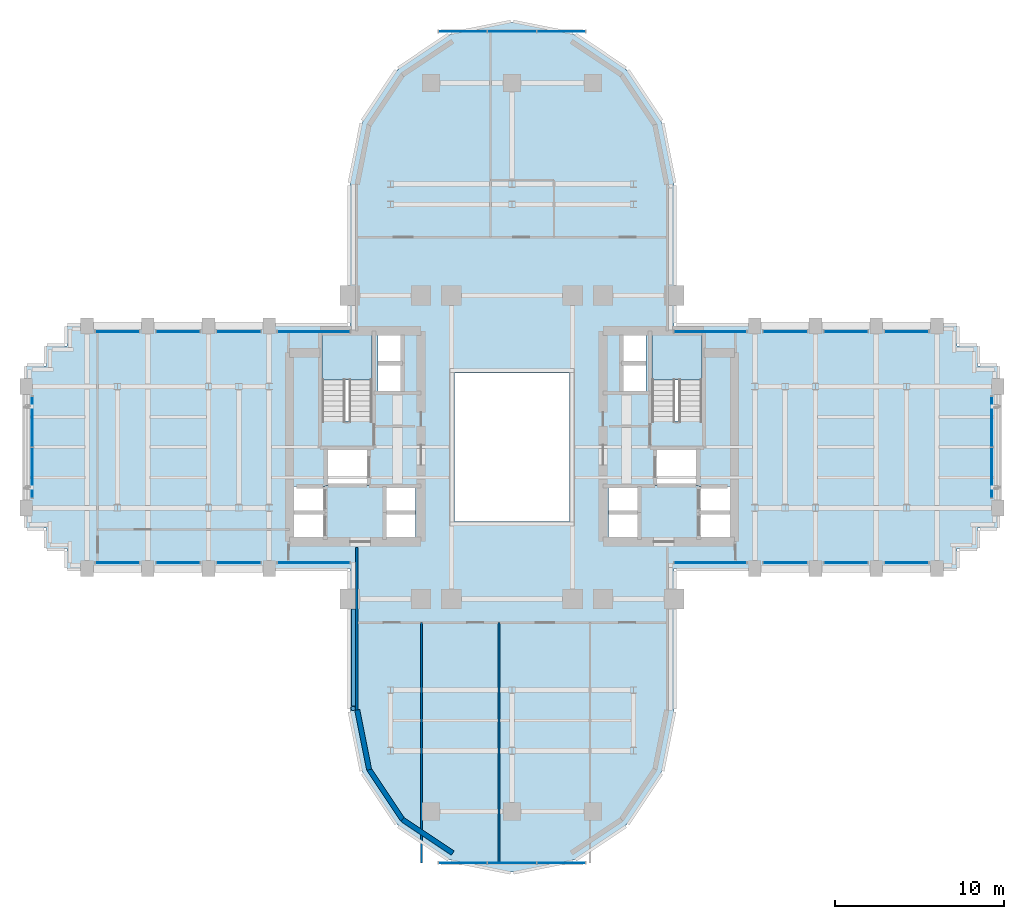
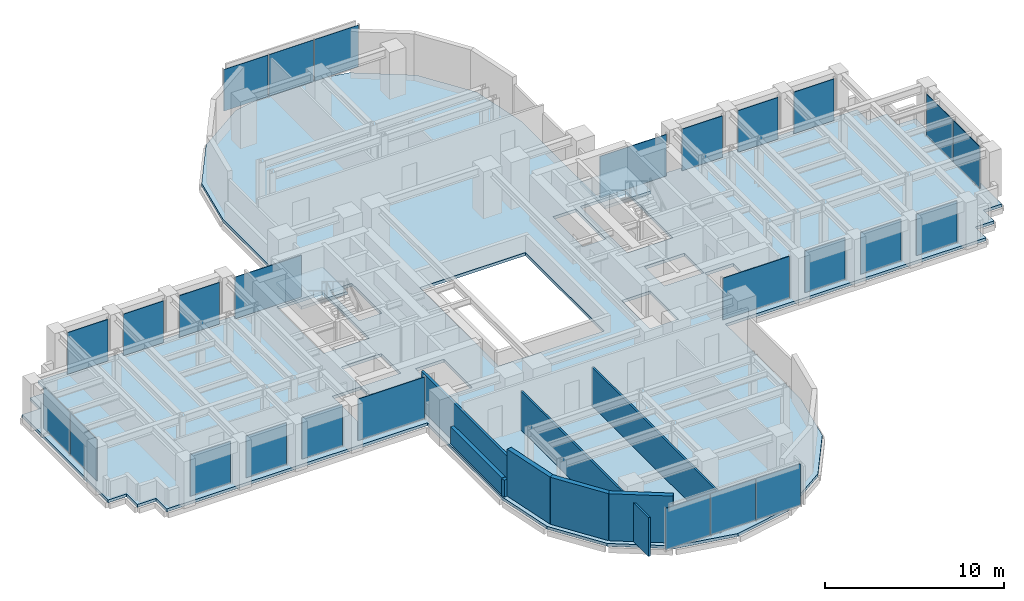
# One storey, part 9 of 16: 26 plates, 8 walls, 3 slabs, 22 elements without a shape of their own.
"""IFC4 building model written with IfcOpenShell, lengths in metres."""

from ifc_helpers import new_model, si_unit, direction, frame, frame_2d, origin, origin_2d, place, context, subcontext, project, spatial, polyline, rectangle, outline, extrude, source, transform, mapped, material, layer, layer_set, type_object, element, aggregate, save


model = new_model("IFC4")

# Units and contexts
model_context = context("Model", 3, precision=1e-05, world=origin(), true_north=direction((0.0, 1.0)))
body_context = subcontext(model_context, "Body", "Model", "MODEL_VIEW")
ifc_project = project(units=[si_unit("LENGTHUNIT", "METRE"), si_unit("AREAUNIT", "SQUARE_METRE"), si_unit("VOLUMEUNIT", "CUBIC_METRE"), si_unit("PLANEANGLEUNIT", "RADIAN"), si_unit("MASSUNIT", "GRAM", prefix="KILO")], contexts=[model_context])

# Site, building, storey
site_placement = place(None, origin())
site = spatial("IfcSite", under=ifc_project, at=site_placement, CompositionType="ELEMENT")
building_placement = place(site_placement, origin())
building = spatial("IfcBuilding", under=site, at=building_placement, Name="Keilestroom Media Tower", CompositionType="ELEMENT")
storey_placement = place(building_placement, frame((0.0, 0.0, 78.199951171875)))
storey = spatial("IfcBuildingStorey", under=building, at=storey_placement, Name="L20", CompositionType="ELEMENT", Elevation=78.199951171875)

# Slab
ifc_material_1 = material(Name="Concrete C50/60", Category="concrete")
ifc_layer_1 = layer(ifc_material_1, 0.199951171875)
ifc_layer_set_1 = layer_set([ifc_layer_1], Name="Concrete C50/60")
slab_type_1 = type_object("IfcSlabType", Name="Composite-Floor-Slab-200", PredefinedType="FLOOR", material=ifc_layer_set_1)
slab_1_placement = place(storey_placement, frame((0.0, 0.0, -0.199951171875)))
element("IfcSlab", 1, at=slab_1_placement, inside=storey, type_object=slab_type_1, Name="L20 Structural Composite Floor Slab", PredefinedType="FLOOR", context=body_context, shape_type="SweptSolid", body=[
    extrude(outline(polyline([(28.800048828125, -4.800048828125), (28.800048828125, 4.800048828125), (27.60009765625, 4.800048828125), (27.60009765625, 6.0), (26.39990234375, 6.0), (26.39990234375, 7.199951171875), (9.60009765625, 7.199951171875), (9.60009765625, 9.60009765625), (9.60009765625, 15.60009765625), (8.869140625, 19.273681640625), (6.7880859375, 22.38818359375), (3.673828125, 24.46923828125), (0.0, 25.199951171875), (-3.673828125, 24.46923828125), (-6.7880859375, 22.38818359375), (-8.869140625, 19.273681640625), (-9.60009765625, 15.60009765625), (-9.60009765625, 9.60009765625), (-9.60009765625, 7.199951171875), (-26.39990234375, 7.199951171875), (-26.39990234375, 6.0), (-27.60009765625, 6.0), (-27.60009765625, 4.800048828125), (-28.800048828125, 4.800048828125), (-28.800048828125, -4.800048828125), (-27.60009765625, -4.800048828125), (-27.60009765625, -6.0), (-26.39990234375, -6.0), (-26.39990234375, -7.199951171875), (-9.60009765625, -7.199951171875), (-9.60009765625, -9.60009765625), (-9.60009765625, -15.60009765625), (-8.869140625, -19.273681640625), (-6.7880859375, -22.38818359375), (-3.673828125, -24.46923828125), (0.0, -25.199951171875), (3.673828125, -24.46923828125), (6.7880859375, -22.38818359375), (8.869140625, -19.273681640625), (9.60009765625, -15.60009765625), (9.60009765625, -9.60009765625), (9.60009765625, -7.199951171875), (26.39990234375, -7.199951171875), (26.39990234375, -6.0), (27.60009765625, -6.0), (27.60009765625, -4.800048828125), (28.800048828125, -4.800048828125)]), holes=[polyline([(-12.919921875, -5.47998046875), (-12.919921875, -2.320068359375), (-11.080078125, -2.320068359375), (-11.080078125, -5.47998046875), (-12.919921875, -5.47998046875)]), polyline([(-11.260009765625, 1.544921875), (-11.260009765625, 6.760009765625), (-8.300048828125, 6.760009765625), (-8.300048828125, 1.544921875), (-11.260009765625, 1.544921875)]), polyline([(-11.050048828125, -2.280029296875), (-11.050048828125, -0.10009765625), (-8.47998046875, -0.10009765625), (-8.47998046875, -2.280029296875), (-11.050048828125, -2.280029296875)]), polyline([(-7.949951171875, 3.300048828125), (-7.949951171875, 6.64990234375), (-6.47998046875, 6.64990234375), (-6.47998046875, 3.300048828125), (-7.949951171875, 3.300048828125)]), polyline([(-7.56005859375, -5.47998046875), (-7.56005859375, -2.320068359375), (-5.719970703125, -2.320068359375), (-5.719970703125, -5.47998046875), (-7.56005859375, -5.47998046875)]), polyline([(-3.39990234375, -4.39990234375), (-3.39990234375, 4.39990234375), (3.39990234375, 4.39990234375), (3.39990234375, -4.39990234375), (-3.39990234375, -4.39990234375)]), polyline([(5.719970703125, -5.47998046875), (5.719970703125, -2.320068359375), (7.56005859375, -2.320068359375), (7.56005859375, -5.47998046875), (5.719970703125, -5.47998046875)]), polyline([(7.949951171875, 6.64990234375), (7.949951171875, 3.300048828125), (6.47998046875, 3.300048828125), (6.47998046875, 6.64990234375), (7.949951171875, 6.64990234375)]), polyline([(8.300048828125, 6.760009765625), (11.260009765625, 6.760009765625), (11.260009765625, 1.544921875), (8.300048828125, 1.544921875), (8.300048828125, 6.760009765625)]), polyline([(8.47998046875, -2.280029296875), (8.47998046875, -0.10009765625), (11.050048828125, -0.10009765625), (11.050048828125, -2.280029296875), (8.47998046875, -2.280029296875)]), polyline([(12.919921875, -5.47998046875), (11.080078125, -5.47998046875), (11.080078125, -2.320068359375), (12.919921875, -2.320068359375), (12.919921875, -5.47998046875)])]), origin(), (0.0, 0.0, 1.0), 0.199951171875),
])

# Stair, slab
ifc_material_2 = material(Name="Concrete C45/55", Category="concrete")
stair_type = type_object("IfcStairType", Name="Enclosed-Dog-Leg-Stair-ST-CORE", PredefinedType="HALF_TURN_STAIR", material=ifc_material_2)
stair_1_placement = place(storey_placement, origin())
stair_1 = element("IfcStair", 2, at=stair_1_placement, inside=storey, type_object=stair_type, Name="L20 West Core Escape Stair ST-1", PredefinedType="HALF_TURN_STAIR")
ifc_layer_2 = layer(ifc_material_2, 0.199951171875)
ifc_layer_set_2 = layer_set([ifc_layer_2], Name="Concrete C45/55")
slab_type_2 = type_object("IfcSlabType", Name="Stair-Intermediate-And-Top-Landing-Slab-200", PredefinedType="LANDING", material=ifc_layer_set_2)
slab_2_placement = place(storey_placement, frame((0.0, 0.0, 1.5)))
slab_2 = element("IfcSlab", 3, at=slab_2_placement, type_object=slab_type_2, Name="ST-1 landing 1", PredefinedType="LANDING", context=body_context, shape_type="SweptSolid", body=[
    extrude(outline(polyline([(-8.300048828125, 3.99609375), (-8.300048828125, 6.760009765625), (-11.260009765625, 6.760009765625), (-11.260009765625, 3.99609375), (-8.300048828125, 3.99609375)])), origin(), (0.0, 0.0, 1.0), 0.199951171875),
])
aggregate(stair_1, [slab_2])

stair_2_placement = place(storey_placement, origin())
stair_2 = element("IfcStair", 4, at=stair_2_placement, inside=storey, type_object=stair_type, Name="L20 East Core Escape Stair ST-2", PredefinedType="HALF_TURN_STAIR")
slab_3_placement = place(storey_placement, frame((0.0, 0.0, 1.5)))
slab_3 = element("IfcSlab", 5, at=slab_3_placement, type_object=slab_type_2, Name="ST-2 landing 1", PredefinedType="LANDING", context=body_context, shape_type="SweptSolid", body=[
    extrude(outline(polyline([(11.260009765625, 3.99609375), (11.260009765625, 6.760009765625), (8.300048828125, 6.760009765625), (8.300048828125, 3.99609375), (11.260009765625, 3.99609375)])), origin(), (0.0, 0.0, 1.0), 0.199951171875),
])
aggregate(stair_2, [slab_3])

# Curtain wall, plates
ifc_material_3 = material(Name="Anodised Aluminium Alloy", Category="aluminium")
curtain_wall_type_1 = type_object("IfcCurtainWallType", Name="Unitised-Curtain-Wall-CW-1", PredefinedType="NOTDEFINED", material=ifc_material_3)
curtain_wall_1_placement = place(storey_placement, origin())
curtain_wall_1 = element("IfcCurtainWall", 6, at=curtain_wall_1_placement, inside=storey, type_object=curtain_wall_type_1, Name="L20 Curtain Wall CW-1 CW-L20-W-1", PredefinedType="NOTDEFINED")
ifc_material_4 = material(Name="Double Glazed Low-E Unit", Category="glass")
ifc_layer_3 = layer(ifc_material_4, 0.0439453125)
ifc_layer_set_3 = layer_set([ifc_layer_3], Name="Double Glazed Low-E Unit")
plate_type_1 = type_object("IfcPlateType", Name="Insulated-Curtain-Wall-Glazing-Panel-CW-1", PredefinedType="CURTAIN_PANEL", material=ifc_layer_set_3)
shared_shape_1 = source(origin(), body_context, "Body", "SweptSolid", [
    extrude(rectangle(XDim=2.968017578125, YDim=0.0439453125, at=origin_2d()), origin(), (0.0, 0.0, 1.0), 2.833984375),
])
plate_1_placement = place(storey_placement, frame((-28.449951171875, -1.514892578125, 0.072998046875), z_axis=(0.0, 0.0, 1.0), x_axis=(0.0, 1.0, 0.0)))
plate_1 = element("IfcPlate", 7, at=plate_1_placement, type_object=plate_type_1, Name="CW-1 Unitised Glazing 00", PredefinedType="CURTAIN_PANEL", context=body_context, shape_type="MappedRepresentation", body=[
    mapped(shared_shape_1, transform((0.0, 0.0, 0.0), x_axis=(1.0, 0.0, 0.0), y_axis=(0.0, 1.0, 0.0), z_axis=(0.0, 0.0, 1.0), scale=1.0)),
])
plate_2_placement = place(storey_placement, frame((-28.449951171875, 1.514892578125, 0.072998046875), z_axis=(0.0, 0.0, 1.0), x_axis=(0.0, 1.0, 0.0)))
plate_2 = element("IfcPlate", 8, at=plate_2_placement, type_object=plate_type_1, Name="CW-1 Unitised Glazing 01", PredefinedType="CURTAIN_PANEL", context=body_context, shape_type="MappedRepresentation", body=[
    mapped(shared_shape_1, transform((0.0, 0.0, 0.0), x_axis=(1.0, 0.0, 0.0), y_axis=(0.0, 1.0, 0.0), z_axis=(0.0, 0.0, 1.0), scale=1.0)),
])
aggregate(curtain_wall_1, [plate_1, plate_2])

curtain_wall_2_placement = place(storey_placement, origin())
curtain_wall_2 = element("IfcCurtainWall", 9, at=curtain_wall_2_placement, inside=storey, type_object=curtain_wall_type_1, Name="L20 Curtain Wall CW-1 CW-L20-E-1", PredefinedType="NOTDEFINED")
plate_3_placement = place(storey_placement, frame((28.449951171875, -1.514892578125, 0.072998046875), z_axis=(0.0, 0.0, 1.0), x_axis=(0.0, 1.0, 0.0)))
plate_3 = element("IfcPlate", 10, at=plate_3_placement, type_object=plate_type_1, Name="CW-1 Unitised Glazing 00", PredefinedType="CURTAIN_PANEL", context=body_context, shape_type="MappedRepresentation", body=[
    mapped(shared_shape_1, transform((0.0, 0.0, 0.0), x_axis=(1.0, 0.0, 0.0), y_axis=(0.0, 1.0, 0.0), z_axis=(0.0, 0.0, 1.0), scale=1.0)),
])
plate_4_placement = place(storey_placement, frame((28.449951171875, 1.514892578125, 0.072998046875), z_axis=(0.0, 0.0, 1.0), x_axis=(0.0, 1.0, 0.0)))
plate_4 = element("IfcPlate", 11, at=plate_4_placement, type_object=plate_type_1, Name="CW-1 Unitised Glazing 01", PredefinedType="CURTAIN_PANEL", context=body_context, shape_type="MappedRepresentation", body=[
    mapped(shared_shape_1, transform((0.0, 0.0, 0.0), x_axis=(1.0, 0.0, 0.0), y_axis=(0.0, 1.0, 0.0), z_axis=(0.0, 0.0, 1.0), scale=1.0)),
])
aggregate(curtain_wall_2, [plate_3, plate_4])

# Curtain wall, plate
curtain_wall_3_placement = place(storey_placement, origin())
curtain_wall_3 = element("IfcCurtainWall", 12, at=curtain_wall_3_placement, inside=storey, type_object=curtain_wall_type_1, Name="L20 Curtain Wall CW-1 CW-L20-NW-1", PredefinedType="NOTDEFINED")
shared_shape_2 = source(origin(), body_context, "Body", "SweptSolid", [
    extrude(rectangle(XDim=2.597900390625, YDim=0.0439453125, at=origin_2d()), origin(), (0.0, 0.0, 1.0), 2.833984375),
])
plate_5_placement = place(storey_placement, frame((-23.39990234375, 6.85009765625, 0.072998046875), z_axis=(0.0, 0.0, 1.0), x_axis=(1.0, 0.0, 0.0)))
plate_5 = element("IfcPlate", 13, at=plate_5_placement, type_object=plate_type_1, Name="CW-1 Unitised Glazing 00", PredefinedType="CURTAIN_PANEL", context=body_context, shape_type="MappedRepresentation", body=[
    mapped(shared_shape_2, transform((0.0, 0.0, 0.0), x_axis=(1.0, 0.0, 0.0), y_axis=(0.0, 1.0, 0.0), z_axis=(0.0, 0.0, 1.0), scale=1.0)),
])
aggregate(curtain_wall_3, [plate_5])

curtain_wall_4_placement = place(storey_placement, origin())
curtain_wall_4 = element("IfcCurtainWall", 14, at=curtain_wall_4_placement, inside=storey, type_object=curtain_wall_type_1, Name="L20 Curtain Wall CW-1 CW-L20-NW-2", PredefinedType="NOTDEFINED")
plate_6_placement = place(storey_placement, frame((-19.800048828125, 6.85009765625, 0.072998046875), z_axis=(0.0, 0.0, 1.0), x_axis=(1.0, 0.0, 0.0)))
plate_6 = element("IfcPlate", 15, at=plate_6_placement, type_object=plate_type_1, Name="CW-1 Unitised Glazing 00", PredefinedType="CURTAIN_PANEL", context=body_context, shape_type="MappedRepresentation", body=[
    mapped(shared_shape_2, transform((0.0, 0.0, 0.0), x_axis=(1.0, 0.0, 0.0), y_axis=(0.0, 1.0, 0.0), z_axis=(0.0, 0.0, 1.0), scale=1.0)),
])
aggregate(curtain_wall_4, [plate_6])

curtain_wall_5_placement = place(storey_placement, origin())
curtain_wall_5 = element("IfcCurtainWall", 16, at=curtain_wall_5_placement, inside=storey, type_object=curtain_wall_type_1, Name="L20 Curtain Wall CW-1 CW-L20-NW-3", PredefinedType="NOTDEFINED")
plate_7_placement = place(storey_placement, frame((-16.199951171875, 6.85009765625, 0.072998046875), z_axis=(0.0, 0.0, 1.0), x_axis=(1.0, 0.0, 0.0)))
plate_7 = element("IfcPlate", 17, at=plate_7_placement, type_object=plate_type_1, Name="CW-1 Unitised Glazing 00", PredefinedType="CURTAIN_PANEL", context=body_context, shape_type="MappedRepresentation", body=[
    mapped(shared_shape_2, transform((0.0, 0.0, 0.0), x_axis=(1.0, 0.0, 0.0), y_axis=(0.0, 1.0, 0.0), z_axis=(0.0, 0.0, 1.0), scale=1.0)),
])
aggregate(curtain_wall_5, [plate_7])

curtain_wall_6_placement = place(storey_placement, origin())
curtain_wall_6 = element("IfcCurtainWall", 18, at=curtain_wall_6_placement, inside=storey, type_object=curtain_wall_type_1, Name="L20 Curtain Wall CW-1 CW-L20-NE-2", PredefinedType="NOTDEFINED")
plate_8_placement = place(storey_placement, frame((16.199951171875, 6.85009765625, 0.072998046875), z_axis=(0.0, 0.0, 1.0), x_axis=(1.0, 0.0, 0.0)))
plate_8 = element("IfcPlate", 19, at=plate_8_placement, type_object=plate_type_1, Name="CW-1 Unitised Glazing 00", PredefinedType="CURTAIN_PANEL", context=body_context, shape_type="MappedRepresentation", body=[
    mapped(shared_shape_2, transform((0.0, 0.0, 0.0), x_axis=(1.0, 0.0, 0.0), y_axis=(0.0, 1.0, 0.0), z_axis=(0.0, 0.0, 1.0), scale=1.0)),
])
aggregate(curtain_wall_6, [plate_8])

curtain_wall_7_placement = place(storey_placement, origin())
curtain_wall_7 = element("IfcCurtainWall", 20, at=curtain_wall_7_placement, inside=storey, type_object=curtain_wall_type_1, Name="L20 Curtain Wall CW-1 CW-L20-NE-3", PredefinedType="NOTDEFINED")
plate_9_placement = place(storey_placement, frame((19.800048828125, 6.85009765625, 0.072998046875), z_axis=(0.0, 0.0, 1.0), x_axis=(1.0, 0.0, 0.0)))
plate_9 = element("IfcPlate", 21, at=plate_9_placement, type_object=plate_type_1, Name="CW-1 Unitised Glazing 00", PredefinedType="CURTAIN_PANEL", context=body_context, shape_type="MappedRepresentation", body=[
    mapped(shared_shape_2, transform((0.0, 0.0, 0.0), x_axis=(1.0, 0.0, 0.0), y_axis=(0.0, 1.0, 0.0), z_axis=(0.0, 0.0, 1.0), scale=1.0)),
])
aggregate(curtain_wall_7, [plate_9])

curtain_wall_8_placement = place(storey_placement, origin())
curtain_wall_8 = element("IfcCurtainWall", 22, at=curtain_wall_8_placement, inside=storey, type_object=curtain_wall_type_1, Name="L20 Curtain Wall CW-1 CW-L20-NE-4", PredefinedType="NOTDEFINED")
plate_10_placement = place(storey_placement, frame((23.39990234375, 6.85009765625, 0.072998046875), z_axis=(0.0, 0.0, 1.0), x_axis=(1.0, 0.0, 0.0)))
plate_10 = element("IfcPlate", 23, at=plate_10_placement, type_object=plate_type_1, Name="CW-1 Unitised Glazing 00", PredefinedType="CURTAIN_PANEL", context=body_context, shape_type="MappedRepresentation", body=[
    mapped(shared_shape_2, transform((0.0, 0.0, 0.0), x_axis=(1.0, 0.0, 0.0), y_axis=(0.0, 1.0, 0.0), z_axis=(0.0, 0.0, 1.0), scale=1.0)),
])
aggregate(curtain_wall_8, [plate_10])

curtain_wall_9_placement = place(storey_placement, origin())
curtain_wall_9 = element("IfcCurtainWall", 24, at=curtain_wall_9_placement, inside=storey, type_object=curtain_wall_type_1, Name="L20 Curtain Wall CW-1 CW-L20-SW-1", PredefinedType="NOTDEFINED")
plate_11_placement = place(storey_placement, frame((-23.39990234375, -6.85009765625, 0.072998046875), z_axis=(0.0, 0.0, 1.0), x_axis=(1.0, 0.0, 0.0)))
plate_11 = element("IfcPlate", 25, at=plate_11_placement, type_object=plate_type_1, Name="CW-1 Unitised Glazing 00", PredefinedType="CURTAIN_PANEL", context=body_context, shape_type="MappedRepresentation", body=[
    mapped(shared_shape_2, transform((0.0, 0.0, 0.0), x_axis=(1.0, 0.0, 0.0), y_axis=(0.0, 1.0, 0.0), z_axis=(0.0, 0.0, 1.0), scale=1.0)),
])
aggregate(curtain_wall_9, [plate_11])

curtain_wall_10_placement = place(storey_placement, origin())
curtain_wall_10 = element("IfcCurtainWall", 26, at=curtain_wall_10_placement, inside=storey, type_object=curtain_wall_type_1, Name="L20 Curtain Wall CW-1 CW-L20-SW-2", PredefinedType="NOTDEFINED")
plate_12_placement = place(storey_placement, frame((-19.800048828125, -6.85009765625, 0.072998046875), z_axis=(0.0, 0.0, 1.0), x_axis=(1.0, 0.0, 0.0)))
plate_12 = element("IfcPlate", 27, at=plate_12_placement, type_object=plate_type_1, Name="CW-1 Unitised Glazing 00", PredefinedType="CURTAIN_PANEL", context=body_context, shape_type="MappedRepresentation", body=[
    mapped(shared_shape_2, transform((0.0, 0.0, 0.0), x_axis=(1.0, 0.0, 0.0), y_axis=(0.0, 1.0, 0.0), z_axis=(0.0, 0.0, 1.0), scale=1.0)),
])
aggregate(curtain_wall_10, [plate_12])

curtain_wall_11_placement = place(storey_placement, origin())
curtain_wall_11 = element("IfcCurtainWall", 28, at=curtain_wall_11_placement, inside=storey, type_object=curtain_wall_type_1, Name="L20 Curtain Wall CW-1 CW-L20-SW-3", PredefinedType="NOTDEFINED")
plate_13_placement = place(storey_placement, frame((-16.199951171875, -6.85009765625, 0.072998046875), z_axis=(0.0, 0.0, 1.0), x_axis=(1.0, 0.0, 0.0)))
plate_13 = element("IfcPlate", 29, at=plate_13_placement, type_object=plate_type_1, Name="CW-1 Unitised Glazing 00", PredefinedType="CURTAIN_PANEL", context=body_context, shape_type="MappedRepresentation", body=[
    mapped(shared_shape_2, transform((0.0, 0.0, 0.0), x_axis=(1.0, 0.0, 0.0), y_axis=(0.0, 1.0, 0.0), z_axis=(0.0, 0.0, 1.0), scale=1.0)),
])
aggregate(curtain_wall_11, [plate_13])

curtain_wall_12_placement = place(storey_placement, origin())
curtain_wall_12 = element("IfcCurtainWall", 30, at=curtain_wall_12_placement, inside=storey, type_object=curtain_wall_type_1, Name="L20 Curtain Wall CW-1 CW-L20-SE-2", PredefinedType="NOTDEFINED")
plate_14_placement = place(storey_placement, frame((16.199951171875, -6.85009765625, 0.072998046875), z_axis=(0.0, 0.0, 1.0), x_axis=(1.0, 0.0, 0.0)))
plate_14 = element("IfcPlate", 31, at=plate_14_placement, type_object=plate_type_1, Name="CW-1 Unitised Glazing 00", PredefinedType="CURTAIN_PANEL", context=body_context, shape_type="MappedRepresentation", body=[
    mapped(shared_shape_2, transform((0.0, 0.0, 0.0), x_axis=(1.0, 0.0, 0.0), y_axis=(0.0, 1.0, 0.0), z_axis=(0.0, 0.0, 1.0), scale=1.0)),
])
aggregate(curtain_wall_12, [plate_14])

curtain_wall_13_placement = place(storey_placement, origin())
curtain_wall_13 = element("IfcCurtainWall", 32, at=curtain_wall_13_placement, inside=storey, type_object=curtain_wall_type_1, Name="L20 Curtain Wall CW-1 CW-L20-SE-3", PredefinedType="NOTDEFINED")
plate_15_placement = place(storey_placement, frame((19.800048828125, -6.85009765625, 0.072998046875), z_axis=(0.0, 0.0, 1.0), x_axis=(1.0, 0.0, 0.0)))
plate_15 = element("IfcPlate", 33, at=plate_15_placement, type_object=plate_type_1, Name="CW-1 Unitised Glazing 00", PredefinedType="CURTAIN_PANEL", context=body_context, shape_type="MappedRepresentation", body=[
    mapped(shared_shape_2, transform((0.0, 0.0, 0.0), x_axis=(1.0, 0.0, 0.0), y_axis=(0.0, 1.0, 0.0), z_axis=(0.0, 0.0, 1.0), scale=1.0)),
])
aggregate(curtain_wall_13, [plate_15])

curtain_wall_14_placement = place(storey_placement, origin())
curtain_wall_14 = element("IfcCurtainWall", 34, at=curtain_wall_14_placement, inside=storey, type_object=curtain_wall_type_1, Name="L20 Curtain Wall CW-1 CW-L20-SE-4", PredefinedType="NOTDEFINED")
plate_16_placement = place(storey_placement, frame((23.39990234375, -6.85009765625, 0.072998046875), z_axis=(0.0, 0.0, 1.0), x_axis=(1.0, 0.0, 0.0)))
plate_16 = element("IfcPlate", 35, at=plate_16_placement, type_object=plate_type_1, Name="CW-1 Unitised Glazing 00", PredefinedType="CURTAIN_PANEL", context=body_context, shape_type="MappedRepresentation", body=[
    mapped(shared_shape_2, transform((0.0, 0.0, 0.0), x_axis=(1.0, 0.0, 0.0), y_axis=(0.0, 1.0, 0.0), z_axis=(0.0, 0.0, 1.0), scale=1.0)),
])
aggregate(curtain_wall_14, [plate_16])

curtain_wall_15_placement = place(storey_placement, origin())
curtain_wall_15 = element("IfcCurtainWall", 36, at=curtain_wall_15_placement, inside=storey, type_object=curtain_wall_type_1, Name="L20 Curtain Wall CW-1 CW-L20-NW-4", PredefinedType="NOTDEFINED")
shared_shape_3 = source(origin(), body_context, "Body", "SweptSolid", [
    extrude(rectangle(XDim=4.282958984375, YDim=0.0439453125, at=origin_2d()), origin(), (0.0, 0.0, 1.0), 2.833984375),
])
plate_17_placement = place(storey_placement, frame((-11.757568359375, 6.85009765625, 0.072998046875), z_axis=(0.0, 0.0, 1.0), x_axis=(1.0, 0.0, 0.0)))
plate_17 = element("IfcPlate", 37, at=plate_17_placement, type_object=plate_type_1, Name="CW-1 Unitised Glazing 00", PredefinedType="CURTAIN_PANEL", context=body_context, shape_type="MappedRepresentation", body=[
    mapped(shared_shape_3, transform((0.0, 0.0, 0.0), x_axis=(1.0, 0.0, 0.0), y_axis=(0.0, 1.0, 0.0), z_axis=(0.0, 0.0, 1.0), scale=1.0)),
])
aggregate(curtain_wall_15, [plate_17])

curtain_wall_16_placement = place(storey_placement, origin())
curtain_wall_16 = element("IfcCurtainWall", 38, at=curtain_wall_16_placement, inside=storey, type_object=curtain_wall_type_1, Name="L20 Curtain Wall CW-1 CW-L20-NE-1", PredefinedType="NOTDEFINED")
plate_18_placement = place(storey_placement, frame((11.757568359375, 6.85009765625, 0.072998046875), z_axis=(0.0, 0.0, 1.0), x_axis=(1.0, 0.0, 0.0)))
plate_18 = element("IfcPlate", 39, at=plate_18_placement, type_object=plate_type_1, Name="CW-1 Unitised Glazing 00", PredefinedType="CURTAIN_PANEL", context=body_context, shape_type="MappedRepresentation", body=[
    mapped(shared_shape_3, transform((0.0, 0.0, 0.0), x_axis=(1.0, 0.0, 0.0), y_axis=(0.0, 1.0, 0.0), z_axis=(0.0, 0.0, 1.0), scale=1.0)),
])
aggregate(curtain_wall_16, [plate_18])

curtain_wall_17_placement = place(storey_placement, origin())
curtain_wall_17 = element("IfcCurtainWall", 40, at=curtain_wall_17_placement, inside=storey, type_object=curtain_wall_type_1, Name="L20 Curtain Wall CW-1 CW-L20-SW-4", PredefinedType="NOTDEFINED")
plate_19_placement = place(storey_placement, frame((-11.757568359375, -6.85009765625, 0.072998046875), z_axis=(0.0, 0.0, 1.0), x_axis=(1.0, 0.0, 0.0)))
plate_19 = element("IfcPlate", 41, at=plate_19_placement, type_object=plate_type_1, Name="CW-1 Unitised Glazing 00", PredefinedType="CURTAIN_PANEL", context=body_context, shape_type="MappedRepresentation", body=[
    mapped(shared_shape_3, transform((0.0, 0.0, 0.0), x_axis=(1.0, 0.0, 0.0), y_axis=(0.0, 1.0, 0.0), z_axis=(0.0, 0.0, 1.0), scale=1.0)),
])
aggregate(curtain_wall_17, [plate_19])

curtain_wall_18_placement = place(storey_placement, origin())
curtain_wall_18 = element("IfcCurtainWall", 42, at=curtain_wall_18_placement, inside=storey, type_object=curtain_wall_type_1, Name="L20 Curtain Wall CW-1 CW-L20-SE-1", PredefinedType="NOTDEFINED")
plate_20_placement = place(storey_placement, frame((11.757568359375, -6.85009765625, 0.072998046875), z_axis=(0.0, 0.0, 1.0), x_axis=(1.0, 0.0, 0.0)))
plate_20 = element("IfcPlate", 43, at=plate_20_placement, type_object=plate_type_1, Name="CW-1 Unitised Glazing 00", PredefinedType="CURTAIN_PANEL", context=body_context, shape_type="MappedRepresentation", body=[
    mapped(shared_shape_3, transform((0.0, 0.0, 0.0), x_axis=(1.0, 0.0, 0.0), y_axis=(0.0, 1.0, 0.0), z_axis=(0.0, 0.0, 1.0), scale=1.0)),
])
aggregate(curtain_wall_18, [plate_20])

# Curtain wall, plates
curtain_wall_type_2 = type_object("IfcCurtainWallType", Name="Unitised-Curtain-Wall-CW-6", PredefinedType="NOTDEFINED", material=ifc_material_3)
curtain_wall_19_placement = place(storey_placement, origin())
curtain_wall_19 = element("IfcCurtainWall", 44, at=curtain_wall_19_placement, inside=storey, type_object=curtain_wall_type_2, Name="L20 Curtain Wall CW-6 CW-L20-LN-1", PredefinedType="NOTDEFINED")
ifc_material_5 = material(Name="Curved-Facet Triple Glazed Unit", Category="glass")
ifc_layer_4 = layer(ifc_material_5, 0.033935546875)
ifc_layer_set_4 = layer_set([ifc_layer_4], Name="Curved-Facet Triple Glazed Unit")
plate_type_2 = type_object("IfcPlateType", Name="Insulated-Curtain-Wall-Glazing-Panel-CW-6", PredefinedType="CURTAIN_PANEL", material=ifc_layer_set_4)
shared_shape_4 = source(origin(), body_context, "Body", "SweptSolid", [
    extrude(rectangle(XDim=2.84375, YDim=0.033935546875, at=origin_2d()), origin(), (0.0, 0.0, 1.0), 2.833984375),
])
plate_21_placement = place(storey_placement, frame((-2.9169921875, 24.64990234375, 0.072998046875), z_axis=(0.0, 0.0, 1.0), x_axis=(1.0, 0.0, 0.0)))
plate_21 = element("IfcPlate", 45, at=plate_21_placement, type_object=plate_type_2, Name="CW-6 Unitised Glazing 00", PredefinedType="CURTAIN_PANEL", context=body_context, shape_type="MappedRepresentation", body=[
    mapped(shared_shape_4, transform((0.0, 0.0, 0.0), x_axis=(1.0, 0.0, 0.0), y_axis=(0.0, 1.0, 0.0), z_axis=(0.0, 0.0, 1.0), scale=1.0)),
])
plate_22_placement = place(storey_placement, frame((2.9169921875, 24.64990234375, 0.072998046875), z_axis=(0.0, 0.0, 1.0), x_axis=(1.0, 0.0, 0.0)))
plate_22 = element("IfcPlate", 46, at=plate_22_placement, type_object=plate_type_2, Name="CW-6 Unitised Glazing 02", PredefinedType="CURTAIN_PANEL", context=body_context, shape_type="MappedRepresentation", body=[
    mapped(shared_shape_4, transform((0.0, 0.0, 0.0), x_axis=(1.0, 0.0, 0.0), y_axis=(0.0, 1.0, 0.0), z_axis=(0.0, 0.0, 1.0), scale=1.0)),
])

curtain_wall_20_placement = place(storey_placement, origin())
curtain_wall_20 = element("IfcCurtainWall", 47, at=curtain_wall_20_placement, inside=storey, type_object=curtain_wall_type_2, Name="L20 Curtain Wall CW-6 CW-L20-LS-1", PredefinedType="NOTDEFINED")
plate_23_placement = place(storey_placement, frame((-2.9169921875, -24.64990234375, 0.072998046875), z_axis=(0.0, 0.0, 1.0), x_axis=(1.0, 0.0, 0.0)))
plate_23 = element("IfcPlate", 48, at=plate_23_placement, type_object=plate_type_2, Name="CW-6 Unitised Glazing 00", PredefinedType="CURTAIN_PANEL", context=body_context, shape_type="MappedRepresentation", body=[
    mapped(shared_shape_4, transform((0.0, 0.0, 0.0), x_axis=(1.0, 0.0, 0.0), y_axis=(0.0, 1.0, 0.0), z_axis=(0.0, 0.0, 1.0), scale=1.0)),
])
plate_24_placement = place(storey_placement, frame((2.9169921875, -24.64990234375, 0.072998046875), z_axis=(0.0, 0.0, 1.0), x_axis=(1.0, 0.0, 0.0)))
plate_24 = element("IfcPlate", 49, at=plate_24_placement, type_object=plate_type_2, Name="CW-6 Unitised Glazing 02", PredefinedType="CURTAIN_PANEL", context=body_context, shape_type="MappedRepresentation", body=[
    mapped(shared_shape_4, transform((0.0, 0.0, 0.0), x_axis=(1.0, 0.0, 0.0), y_axis=(0.0, 1.0, 0.0), z_axis=(0.0, 0.0, 1.0), scale=1.0)),
])

# Plate
shared_shape_5 = source(origin(), body_context, "Body", "SweptSolid", [
    extrude(rectangle(XDim=2.876220703125, YDim=0.033935546875, at=origin_2d()), origin(), (0.0, 0.0, 1.0), 2.833984375),
])
plate_25_placement = place(storey_placement, frame((0.0, 24.64990234375, 0.072998046875), z_axis=(0.0, 0.0, 1.0), x_axis=(1.0, 0.0, 0.0)))
plate_25 = element("IfcPlate", 50, at=plate_25_placement, type_object=plate_type_2, Name="CW-6 Unitised Glazing 01", PredefinedType="CURTAIN_PANEL", context=body_context, shape_type="MappedRepresentation", body=[
    mapped(shared_shape_5, transform((0.0, 0.0, 0.0), x_axis=(1.0, 0.0, 0.0), y_axis=(0.0, 1.0, 0.0), z_axis=(0.0, 0.0, 1.0), scale=1.0)),
])

aggregate(curtain_wall_19, [plate_21, plate_25, plate_22])

plate_26_placement = place(storey_placement, frame((0.0, -24.64990234375, 0.072998046875), z_axis=(0.0, 0.0, 1.0), x_axis=(1.0, 0.0, 0.0)))
plate_26 = element("IfcPlate", 51, at=plate_26_placement, type_object=plate_type_2, Name="CW-6 Unitised Glazing 01", PredefinedType="CURTAIN_PANEL", context=body_context, shape_type="MappedRepresentation", body=[
    mapped(shared_shape_5, transform((0.0, 0.0, 0.0), x_axis=(1.0, 0.0, 0.0), y_axis=(0.0, 1.0, 0.0), z_axis=(0.0, 0.0, 1.0), scale=1.0)),
])

aggregate(curtain_wall_20, [plate_23, plate_26, plate_24])

# Walls
ifc_material_6 = material(Name="Precast concrete C40/50", Category="concrete")
ifc_layer_5 = layer(ifc_material_6, 0.300048828125)
ifc_layer_set_5 = layer_set([ifc_layer_5], Name="Precast concrete C40/50")
wall_type_1 = type_object("IfcWallType", Name="Exterior-Masonry-Spandrel-Wall-300", PredefinedType="SOLIDWALL", material=ifc_layer_set_5)
for number, where, z_axis, x_axis, name in (
    (52, (-9.1748046875, -15.585205078125, 0.0), (0.0, 0.0, 1.0), (0.195114232679, -0.980780523974, 0.0), "L20 Lobe Facet Precast Frame Wall 07"),
    (53, (-8.48193359375, -19.097412109375, 0.0), (0.0, 0.0, 1.0), (0.555574187116, -0.831466970246, 0.0), "L20 Lobe Facet Precast Frame Wall 08"),
):
    element("IfcWall", number, at=place(storey_placement, frame(where, z_axis=z_axis, x_axis=x_axis)), inside=storey, type_object=wall_type_1, Name=name, PredefinedType="SOLIDWALL", context=body_context, shape_type="SweptSolid", body=[
        extrude(rectangle(XDim=3.608642578125, YDim=0.300048828125, at=frame_2d((1.80419921875, 0.0))), origin(), (0.0, 0.0, 1.0), 3.199951171875),
    ])
wall_1_placement = place(storey_placement, frame((-6.497802734375, -22.0771484375, 0.0), z_axis=(0.0, 0.0, 1.0), x_axis=(0.8314749531, -0.555562239868, 0.0)))
element("IfcWall", 54, at=wall_1_placement, inside=storey, type_object=wall_type_1, Name="L20 Lobe Facet Precast Frame Wall 09", PredefinedType="SOLIDWALL", context=body_context, shape_type="SweptSolid", body=[
    extrude(rectangle(XDim=3.59326171875, YDim=0.300048828125, at=frame_2d((1.796630859375, 0.0))), origin(), (0.0, 0.0, 1.0), 3.199951171875),
])
ifc_material_7 = material(Name="Gypsum Plasterboard & Steel Stud", Category="steel")
ifc_layer_6 = layer(ifc_material_7, 0.1201171875)
ifc_layer_set_6 = layer_set([ifc_layer_6], Name="Gypsum Plasterboard & Steel Stud")
wall_type_2 = type_object("IfcWallType", Name="Interior-Partition-Wall-120", PredefinedType="PARTITIONING", material=ifc_layer_set_6)
for number, where, z_axis, x_axis, name in (
    (55, (-5.3798828125, -24.64990234375, 0.0), (0.0, 0.0, 1.0), (0.0, 1.0, 0.0), "L20 Interior Wall WP-L20-SL-QV1"),
    (56, (-0.780029296875, -24.64990234375, 0.0), (0.0, 0.0, 1.0), (0.0, 1.0, 0.0), "L20 Interior Wall WP-L20-SL-QV2"),
):
    element("IfcWall", number, at=place(storey_placement, frame(where, z_axis=z_axis, x_axis=x_axis)), inside=storey, type_object=wall_type_2, Name=name, PredefinedType="PARTITIONING", context=body_context, shape_type="SweptSolid", body=[
        extrude(rectangle(XDim=14.25, YDim=0.1201171875, at=frame_2d((7.125, 0.0))), origin(), (0.0, 0.0, 1.0), 2.650146484375),
    ])
ifc_layer_7 = layer(ifc_material_7, 0.14990234375)
ifc_layer_set_7 = layer_set([ifc_layer_7], Name="Gypsum Plasterboard & Steel Stud")
wall_type_3 = type_object("IfcWallType", Name="Interior-Partition-Wall-150", PredefinedType="PARTITIONING", material=ifc_layer_set_7)
wall_2_placement = place(storey_placement, frame((-9.199951171875, -15.679931640625, 0.0), z_axis=(0.0, 0.0, 1.0), x_axis=(0.0, 1.0, 0.0)))
element("IfcWall", 57, at=wall_2_placement, inside=storey, type_object=wall_type_3, Name="L20 Interior Wall WP-L20-SL-CHKW", PredefinedType="PARTITIONING", context=body_context, shape_type="SweptSolid", body=[
    extrude(rectangle(XDim=9.739990234375, YDim=0.14990234375, at=frame_2d((4.8701171875, 0.0))), origin(), (0.0, 0.0, 1.0), 2.650146484375),
])
ifc_layer_8 = layer(ifc_material_6, 0.239990234375)
ifc_layer_set_8 = layer_set([ifc_layer_8], Name="Precast concrete C40/50")
wall_type_4 = type_object("IfcWallType", Name="Roof-And-Terrace-Parapet-Wall-240", PredefinedType="PARAPET", material=ifc_layer_set_8)
wall_3_placement = place(storey_placement, frame((-9.395263671875, -15.604248046875, 0.0), z_axis=(0.0, 0.0, 1.0), x_axis=(-0.194652052864, 0.980872355771, 0.0)))
element("IfcWall", 58, at=wall_3_placement, inside=storey, type_object=wall_type_4, Name="L20 Perimeter Edge Parapet Wall 09", PredefinedType="PARAPET", context=body_context, shape_type="SweptSolid", body=[
    extrude(rectangle(XDim=0.224609375, YDim=0.239990234375, at=frame_2d((0.1123046875, 0.0))), origin(), (0.0, 0.0, 1.0), 1.150146484375),
])
wall_4_placement = place(storey_placement, frame((-9.39990234375, -15.357666015625, 0.0), z_axis=(0.0, 0.0, 1.0), x_axis=(0.0, 1.0, 0.0)))
element("IfcWall", 59, at=wall_4_placement, inside=storey, type_object=wall_type_4, Name="L20 Perimeter Edge Parapet Wall 10", PredefinedType="PARAPET", context=body_context, shape_type="SweptSolid", body=[
    extrude(rectangle(XDim=5.754638671875, YDim=0.239990234375, at=frame_2d((2.87744140625, 0.0))), origin(), (0.0, 0.0, 1.0), 1.150146484375),
])

save(model, "model.ifc")
